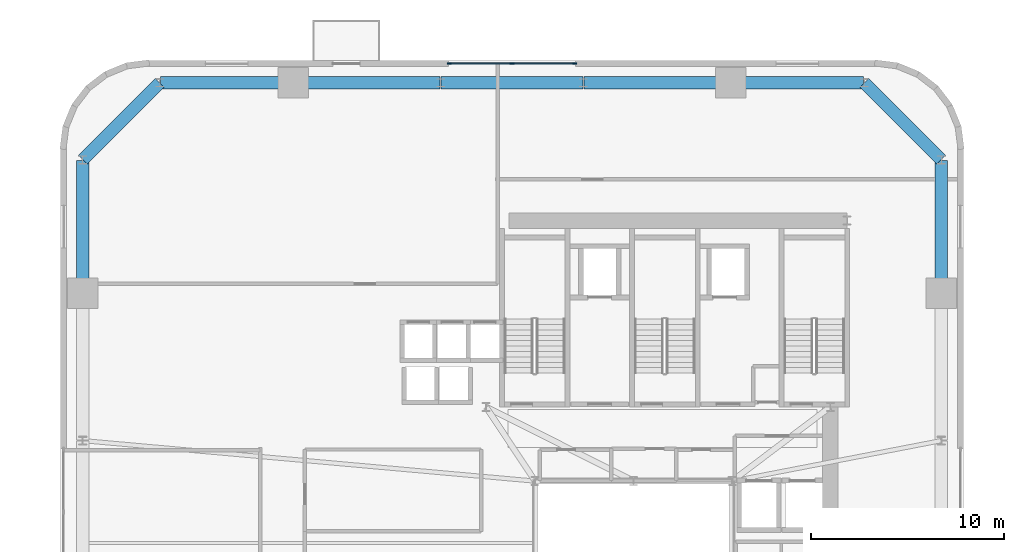
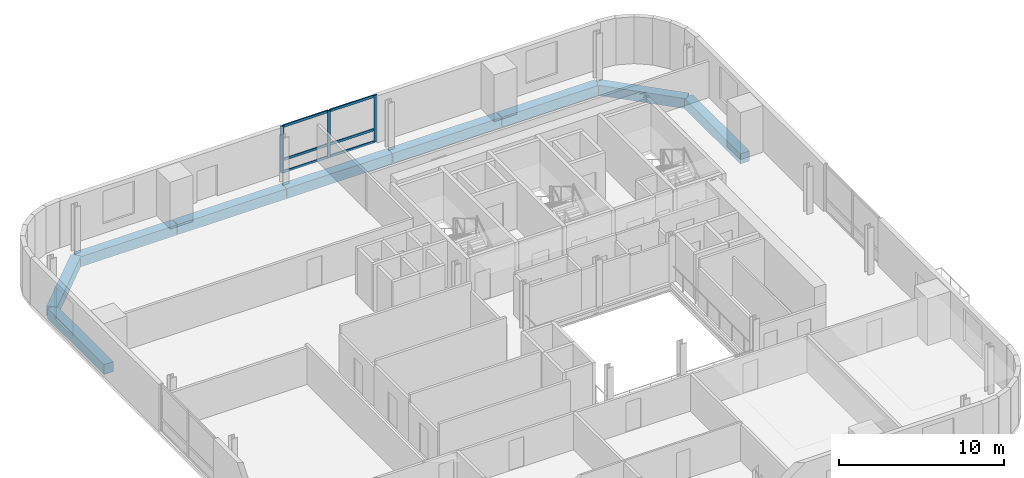
# One storey, part 4 of 13: 9 beams, 9 members, 1 element without a shape of its own.
"""IFC4 building model written with IfcOpenShell, lengths in metres."""

from ifc_helpers import new_model, si_unit, direction, frame, origin, origin_2d, place, context, subcontext, project, spatial, rectangle, extrude, source, transform, mapped, material, material_profile, profile_set, type_object, element, aggregate, save


model = new_model("IFC4")

# Units and contexts
model_context = context("Model", 3, precision=1e-05, world=origin(), true_north=direction((0.0, 1.0)))
body_context = subcontext(model_context, "Body", "Model", "MODEL_VIEW")
ifc_project = project(units=[si_unit("LENGTHUNIT", "METRE"), si_unit("AREAUNIT", "SQUARE_METRE"), si_unit("VOLUMEUNIT", "CUBIC_METRE"), si_unit("PLANEANGLEUNIT", "RADIAN"), si_unit("MASSUNIT", "GRAM", prefix="KILO")], contexts=[model_context])

# Site, building, storey
site_placement = place(None, origin())
site = spatial("IfcSite", under=ifc_project, at=site_placement, CompositionType="ELEMENT")
building_placement = place(site_placement, origin())
building = spatial("IfcBuilding", under=site, at=building_placement, Name="Vardaveli Station Tower", CompositionType="ELEMENT")
storey_placement = place(building_placement, frame((0.0, 0.0, 159.39990234375)))
storey = spatial("IfcBuildingStorey", under=building, at=storey_placement, Name="L41", CompositionType="ELEMENT", Elevation=159.39990234375)

# Beams
ifc_material_1 = material(Name="Precast concrete C45/55", Category="concrete")
ifc_material_profile_1 = material_profile(ifc_material_1, rectangle(XDim=0.64990234375, YDim=0.75, at=origin_2d()), Name="LPB 650x750")
ifc_profile_set_1 = profile_set([ifc_material_profile_1], Name="Precast concrete C45/55")
beam_type = type_object("IfcBeamType", Name="BM-LPB-750", PredefinedType="BEAM", material=ifc_profile_set_1)
shared_shape_1 = source(origin(), body_context, "Body", "SweptSolid", [
    extrude(rectangle(XDim=0.64990234375, YDim=0.75, at=origin_2d()), origin(), (0.0, 0.0, 1.0), 7.60009765625),
])
for number, where, z_axis, x_axis, name in (
    (1, (41.320068359375, 47.449951171875, -0.614990234375), (-1.0, 0.0, 0.0), (0.0, -1.0, 0.0), "RBM-L41-13"),
    (2, (26.280029296875, 47.449951171875, -0.614990234375), (-1.0, 0.0, 0.0), (0.0, -1.0, 0.0), "RBM-L41-15"),
):
    element("IfcBeam", number, at=place(storey_placement, frame(where, z_axis=z_axis, x_axis=x_axis)), inside=storey, type_object=beam_type, Name=name, PredefinedType="BEAM", context=body_context, shape_type="MappedRepresentation", body=[
        mapped(shared_shape_1, transform((0.0, 0.0, 0.0), scale=1.0)),
    ])
shared_shape_2 = source(origin(), body_context, "Body", "SweptSolid", [
    extrude(rectangle(XDim=0.64990234375, YDim=0.75, at=origin_2d()), origin(), (0.0, 0.0, 1.0), 7.35986328125),
])
beam_placement = place(storey_placement, frame((33.679931640625, 47.449951171875, -0.614990234375), z_axis=(-1.0, 0.0, 0.0), x_axis=(0.0, -1.0, 0.0)))
element("IfcBeam", 3, at=beam_placement, inside=storey, type_object=beam_type, Name="RBM-L41-14", PredefinedType="BEAM", context=body_context, shape_type="MappedRepresentation", body=[
    mapped(shared_shape_2, transform((0.0, 0.0, 0.0), scale=1.0)),
])
shared_shape_3 = source(origin(), body_context, "Body", "SweptSolid", [
    extrude(rectangle(XDim=0.64990234375, YDim=0.75, at=origin_2d()), origin(), (0.0, 0.0, 1.0), 6.869873046875),
])
for number, where, z_axis, x_axis, name in (
    (4, (52.25, 36.56005859375, -0.614990234375), (0.0, 1.0, 0.0), (-1.0, 0.0, 0.0), "RBM-L41-10"),
    (5, (48.22998046875, 47.449951171875, -0.614990234375), (-1.0, 0.0, 0.0), (0.0, -1.0, 0.0), "RBM-L41-12"),
    (6, (18.639892578125, 47.449951171875, -0.614990234375), (-1.0, 0.0, 0.0), (0.0, -1.0, 0.0), "RBM-L41-16"),
    (7, (7.75, 43.429931640625, -0.614990234375), (0.0, -1.0, 0.0), (1.0, 0.0, 0.0), "RBM-L41-18"),
):
    element("IfcBeam", number, at=place(storey_placement, frame(where, z_axis=z_axis, x_axis=x_axis)), inside=storey, type_object=beam_type, Name=name, PredefinedType="BEAM", context=body_context, shape_type="MappedRepresentation", body=[
        mapped(shared_shape_3, transform((0.0, 0.0, 0.0), scale=1.0)),
    ])
shared_shape_4 = source(origin(), body_context, "Body", "SweptSolid", [
    extrude(rectangle(XDim=0.64990234375, YDim=0.75, at=origin_2d()), origin(), (0.0, 0.0, 1.0), 5.61669921875),
])
for number, where, z_axis, x_axis, name in (
    (8, (52.23583984375, 43.464111328125, -0.614990234375), (-0.707106781187, 0.707106781187, 0.0), (-0.707106781187, -0.707106781187, 0.0), "RBM-L41-11"),
    (9, (11.73583984375, 47.435791015625, -0.614990234375), (-0.707106781187, -0.707106781187, 0.0), (0.707106781187, -0.707106781187, 0.0), "RBM-L41-17"),
):
    element("IfcBeam", number, at=place(storey_placement, frame(where, z_axis=z_axis, x_axis=x_axis)), inside=storey, type_object=beam_type, Name=name, PredefinedType="BEAM", context=body_context, shape_type="MappedRepresentation", body=[
        mapped(shared_shape_4, transform((0.0, 0.0, 0.0), scale=1.0)),
    ])

# Curtain wall, members
ifc_material_2 = material(Name="Travertine stone and solar-control glass", Category="masonry")
curtain_wall_type = type_object("IfcCurtainWallType", Name="CW-SYS-2", PredefinedType="NOTDEFINED", material=ifc_material_2)
curtain_wall_placement = place(storey_placement, origin())
curtain_wall = element("IfcCurtainWall", 10, at=curtain_wall_placement, inside=storey, type_object=curtain_wall_type, Name="CW-L41-N", PredefinedType="NOTDEFINED")
ifc_material_3 = material(Name="Anodised aluminium alloy 6063-T6", Category="aluminium")
ifc_material_profile_2 = material_profile(ifc_material_3, rectangle(XDim=0.0849609375, YDim=0.179931640625, at=origin_2d()), Name="CWT 85x180")
ifc_profile_set_2 = profile_set([ifc_material_profile_2], Name="Anodised aluminium alloy 6063-T6")
member_type_1 = type_object("IfcMemberType", Name="CW-SYS-2-TRAN", PredefinedType="NOTDEFINED", material=ifc_profile_set_2)
shared_shape_5 = source(origin(), body_context, "Body", "SweptSolid", [
    extrude(rectangle(XDim=0.0849609375, YDim=0.179931640625, at=origin_2d()), origin(), (0.0, 0.0, 1.0), 3.172607421875),
])
member_1_placement = place(storey_placement, frame((33.215087890625, 48.43994140625, 0.04248046875), z_axis=(-1.0, 0.0, 0.0), x_axis=(0.0, -1.0, 0.0)))
member_1 = element("IfcMember", 11, at=member_1_placement, type_object=member_type_1, Name="CW-2 transom 1.1", ObjectType="TRANSOM", PredefinedType="USERDEFINED", context=body_context, shape_type="MappedRepresentation", body=[
    mapped(shared_shape_5, transform((0.0, 0.0, 0.0), scale=1.0)),
])
member_2_placement = place(storey_placement, frame((33.215087890625, 48.43994140625, 0.9501953125), z_axis=(-1.0, 0.0, 0.0), x_axis=(0.0, -1.0, 0.0)))
member_2 = element("IfcMember", 12, at=member_2_placement, type_object=member_type_1, Name="CW-2 transom 1.2", ObjectType="TRANSOM", PredefinedType="USERDEFINED", context=body_context, shape_type="MappedRepresentation", body=[
    mapped(shared_shape_5, transform((0.0, 0.0, 0.0), scale=1.0)),
])
member_3_placement = place(storey_placement, frame((33.215087890625, 48.43994140625, 3.41748046875), z_axis=(-1.0, 0.0, 0.0), x_axis=(0.0, -1.0, 0.0)))
member_3 = element("IfcMember", 13, at=member_3_placement, type_object=member_type_1, Name="CW-2 transom 1.3", ObjectType="TRANSOM", PredefinedType="USERDEFINED", context=body_context, shape_type="MappedRepresentation", body=[
    mapped(shared_shape_5, transform((0.0, 0.0, 0.0), scale=1.0)),
])
member_4_placement = place(storey_placement, frame((29.95751953125, 48.43994140625, 0.04248046875), z_axis=(-1.0, 0.0, 0.0), x_axis=(0.0, -1.0, 0.0)))
member_4 = element("IfcMember", 14, at=member_4_placement, type_object=member_type_1, Name="CW-2 transom 2.1", ObjectType="TRANSOM", PredefinedType="USERDEFINED", context=body_context, shape_type="MappedRepresentation", body=[
    mapped(shared_shape_5, transform((0.0, 0.0, 0.0), scale=1.0)),
])
member_5_placement = place(storey_placement, frame((29.95751953125, 48.43994140625, 0.9501953125), z_axis=(-1.0, 0.0, 0.0), x_axis=(0.0, -1.0, 0.0)))
member_5 = element("IfcMember", 15, at=member_5_placement, type_object=member_type_1, Name="CW-2 transom 2.2", ObjectType="TRANSOM", PredefinedType="USERDEFINED", context=body_context, shape_type="MappedRepresentation", body=[
    mapped(shared_shape_5, transform((0.0, 0.0, 0.0), scale=1.0)),
])
member_6_placement = place(storey_placement, frame((29.95751953125, 48.43994140625, 3.41748046875), z_axis=(-1.0, 0.0, 0.0), x_axis=(0.0, -1.0, 0.0)))
member_6 = element("IfcMember", 16, at=member_6_placement, type_object=member_type_1, Name="CW-2 transom 2.3", ObjectType="TRANSOM", PredefinedType="USERDEFINED", context=body_context, shape_type="MappedRepresentation", body=[
    mapped(shared_shape_5, transform((0.0, 0.0, 0.0), scale=1.0)),
])
ifc_material_profile_3 = material_profile(ifc_material_3, rectangle(XDim=0.0849609375, YDim=0.219970703125, at=origin_2d()), Name="CWM 85x220")
ifc_profile_set_3 = profile_set([ifc_material_profile_3], Name="Anodised aluminium alloy 6063-T6")
member_type_2 = type_object("IfcMemberType", Name="CW-SYS-2-MULL", PredefinedType="MULLION", material=ifc_profile_set_3)
shared_shape_6 = source(origin(), body_context, "Body", "SweptSolid", [
    extrude(rectangle(XDim=0.0849609375, YDim=0.219970703125, at=origin_2d()), origin(), (0.0, 0.0, 1.0), 3.460205078125),
])
member_7_placement = place(storey_placement, frame((33.257568359375, 48.43994140625, 0.0), z_axis=(0.0, 0.0, 1.0), x_axis=(0.0, -1.0, 0.0)))
member_7 = element("IfcMember", 17, at=member_7_placement, type_object=member_type_2, Name="CW-2 mullion 1", PredefinedType="MULLION", context=body_context, shape_type="MappedRepresentation", body=[
    mapped(shared_shape_6, transform((0.0, 0.0, 0.0), scale=1.0)),
])
member_8_placement = place(storey_placement, frame((30.0, 48.43994140625, 0.0), z_axis=(0.0, 0.0, 1.0), x_axis=(0.0, -1.0, 0.0)))
member_8 = element("IfcMember", 18, at=member_8_placement, type_object=member_type_2, Name="CW-2 mullion 2", PredefinedType="MULLION", context=body_context, shape_type="MappedRepresentation", body=[
    mapped(shared_shape_6, transform((0.0, 0.0, 0.0), scale=1.0)),
])
member_9_placement = place(storey_placement, frame((26.742431640625, 48.43994140625, 0.0), z_axis=(0.0, 0.0, 1.0), x_axis=(0.0, -1.0, 0.0)))
member_9 = element("IfcMember", 19, at=member_9_placement, type_object=member_type_2, Name="CW-2 mullion 3", PredefinedType="MULLION", context=body_context, shape_type="MappedRepresentation", body=[
    mapped(shared_shape_6, transform((0.0, 0.0, 0.0), scale=1.0)),
])
aggregate(curtain_wall, [member_7, member_8, member_9, member_1, member_2, member_3, member_4, member_5, member_6])

save(model, "model.ifc")
